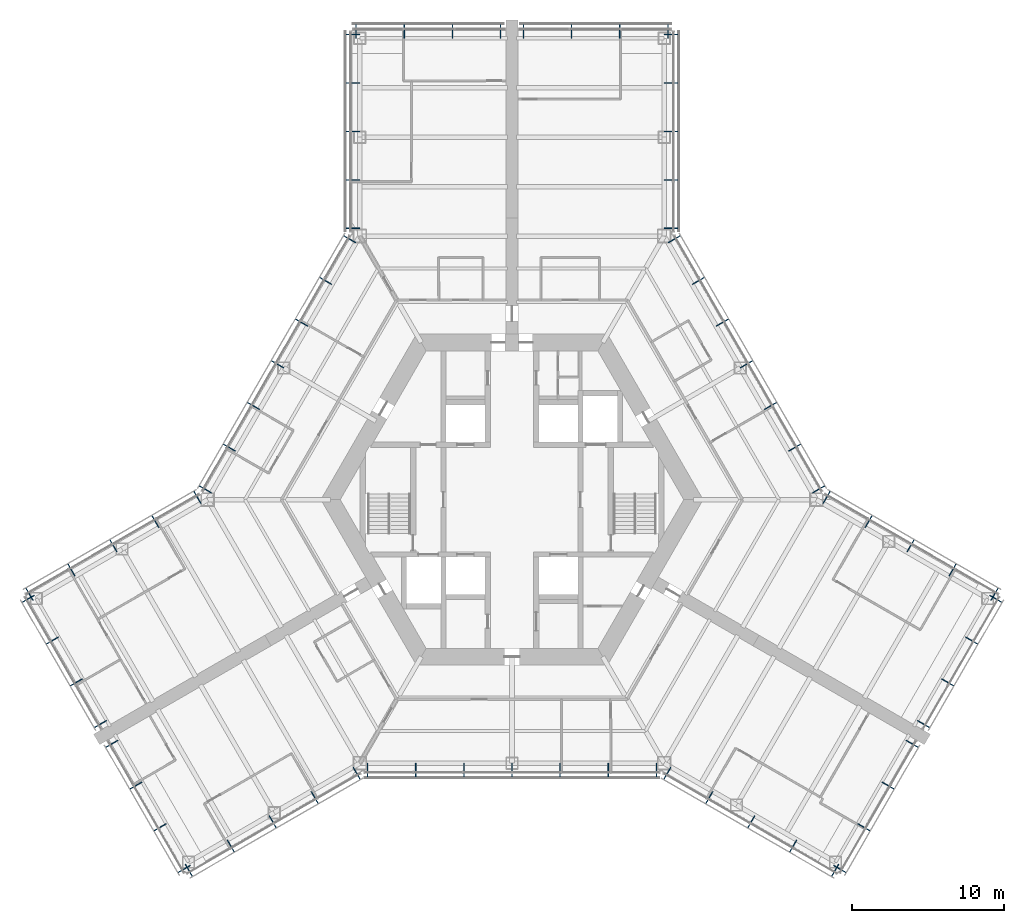
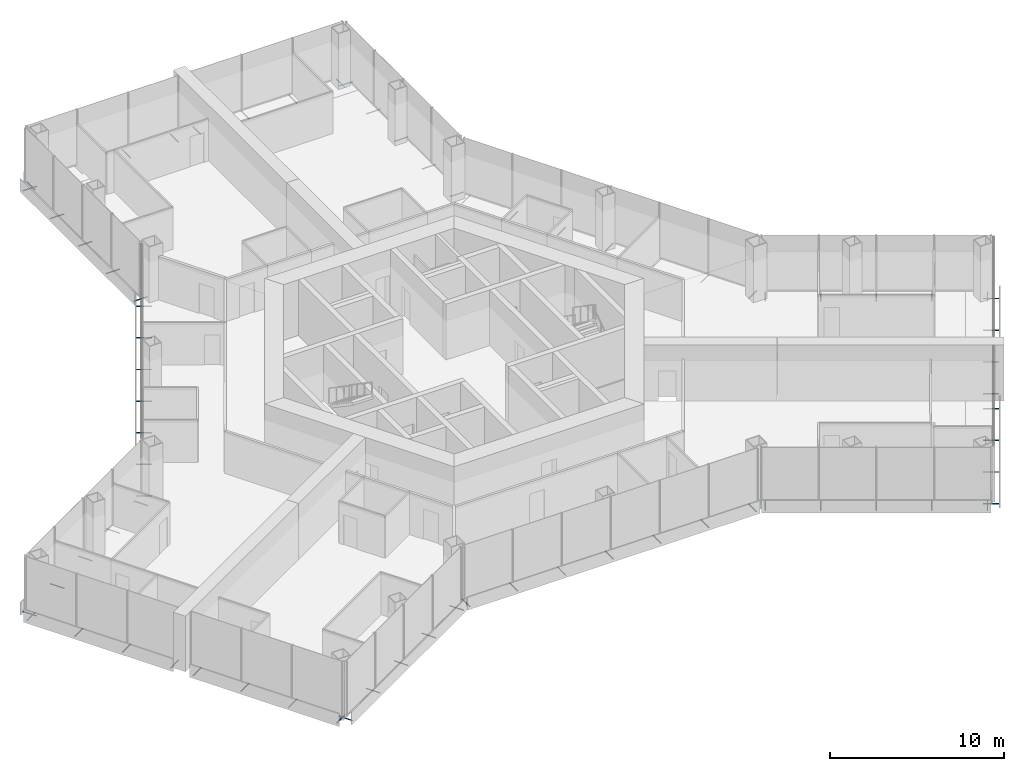
# One storey, part 16 of 18: 75 discrete accessories.
"""IFC4 building model written with IfcOpenShell, lengths in metres."""

from ifc_helpers import new_model, si_unit, direction, frame, origin, origin_2d, place, context, subcontext, project, spatial, hollow_circle, extrude, material, material_profile, profile_set, type_object, element, save


model = new_model("IFC4")

# Units and contexts
model_context = context("Model", 3, precision=1e-05, world=origin(), true_north=direction((0.0, 1.0)))
body_context = subcontext(model_context, "Body", "Model", "MODEL_VIEW")
ifc_project = project(units=[si_unit("LENGTHUNIT", "METRE"), si_unit("AREAUNIT", "SQUARE_METRE"), si_unit("VOLUMEUNIT", "CUBIC_METRE"), si_unit("PLANEANGLEUNIT", "RADIAN"), si_unit("MASSUNIT", "GRAM", prefix="KILO")], contexts=[model_context])

# Site, building, storey
site_placement = place(None, origin())
site = spatial("IfcSite", under=ifc_project, at=site_placement, CompositionType="ELEMENT")
building_placement = place(site_placement, origin())
building = spatial("IfcBuilding", under=site, at=building_placement, Name="Kasaneha Research Tower", CompositionType="ELEMENT")
storey_placement = place(building_placement, frame((0.0, 0.0, 111.89990234375)))
storey = spatial("IfcBuildingStorey", under=building, at=storey_placement, Name="L28", CompositionType="ELEMENT", Elevation=111.89990234375)

# Discrete accessories
ifc_material = material(Name="Steel STK400", Category="steel")
ifc_material_profile = material_profile(ifc_material, hollow_circle(Radius=0.0380859375, WallThickness=0.00390625, at=origin_2d()), Name="CHS-76.3x4.0")
ifc_profile_set = profile_set([ifc_material_profile], Name="Steel STK400")
discrete_accessory_type = type_object("IfcDiscreteAccessoryType", Name="Screen bracket CHS-76.3x4.0", PredefinedType="BRACKET", material=ifc_profile_set)
discrete_accessory_1_placement = place(storey_placement, frame((-21.474853515625, -23.945556640625, -0.2998046875), z_axis=(0.500021113727, -0.866013213425, 0.0), x_axis=(0.866013213425, 0.500021113727, 0.0)))
element("IfcDiscreteAccessory", 1, at=discrete_accessory_1_placement, inside=storey, type_object=discrete_accessory_type, Name="Screen bracket 1", PredefinedType="BRACKET", context=body_context, shape_type="SweptSolid", body=[
    extrude(hollow_circle(Radius=0.0380859375, WallThickness=0.00390625, at=origin_2d()), origin(), (0.0, 0.0, 1.0), 0.919921875),
])
discrete_accessory_2_placement = place(storey_placement, frame((-18.716796875, -22.35302734375, -0.2998046875), z_axis=(0.500105201737, -0.865964657013, 0.0), x_axis=(0.865964657013, 0.500105201737, 0.0)))
element("IfcDiscreteAccessory", 2, at=discrete_accessory_2_placement, inside=storey, type_object=discrete_accessory_type, Name="Screen bracket 2", PredefinedType="BRACKET", context=body_context, shape_type="SweptSolid", body=[
    extrude(hollow_circle(Radius=0.0380859375, WallThickness=0.00390625, at=origin_2d()), origin(), (0.0, 0.0, 1.0), 0.920166015625),
])
discrete_accessory_3_placement = place(storey_placement, frame((-15.95849609375, -20.7607421875, -0.2998046875), z_axis=(0.500021113727, -0.866013213425, 0.0), x_axis=(0.866013213425, 0.500021113727, 0.0)))
element("IfcDiscreteAccessory", 3, at=discrete_accessory_3_placement, inside=storey, type_object=discrete_accessory_type, Name="Screen bracket 3", PredefinedType="BRACKET", context=body_context, shape_type="SweptSolid", body=[
    extrude(hollow_circle(Radius=0.0380859375, WallThickness=0.00390625, at=origin_2d()), origin(), (0.0, 0.0, 1.0), 0.919921875),
])
discrete_accessory_4_placement = place(storey_placement, frame((-13.200439453125, -19.168212890625, -0.2998046875), z_axis=(0.499906209203, -0.866079547155, 0.0), x_axis=(0.866079547155, 0.499906209203, 0.0)))
element("IfcDiscreteAccessory", 4, at=discrete_accessory_4_placement, inside=storey, type_object=discrete_accessory_type, Name="Screen bracket 4", PredefinedType="BRACKET", context=body_context, shape_type="SweptSolid", body=[
    extrude(hollow_circle(Radius=0.0380859375, WallThickness=0.00390625, at=origin_2d()), origin(), (0.0, 0.0, 1.0), 0.920166015625),
])
for number, where, z_axis, x_axis, name in (
    (5, (-10.4423828125, -17.575927734375, -0.2998046875), (0.500021113727, -0.866013213425, 0.0), (0.866013213425, 0.500021113727, 0.0), "Screen bracket 5"),
    (6, (-9.4892578125, -17.320556640625, -0.2998046875), (0.0, -1.0, 0.0), (1.0, 0.0, 0.0), "Screen bracket 1"),
    (7, (-6.326171875, -17.320556640625, -0.2998046875), (0.0, -1.0, 0.0), (1.0, 0.0, 0.0), "Screen bracket 2"),
    (8, (-3.1630859375, -17.320556640625, -0.2998046875), (0.0, -1.0, 0.0), (1.0, 0.0, 0.0), "Screen bracket 3"),
    (9, (0.0, -17.320556640625, -0.2998046875), (0.0, -1.0, 0.0), (1.0, 0.0, 0.0), "Screen bracket 4"),
    (10, (3.1630859375, -17.320556640625, -0.2998046875), (0.0, -1.0, 0.0), (1.0, 0.0, 0.0), "Screen bracket 5"),
    (11, (6.326171875, -17.320556640625, -0.2998046875), (0.0, -1.0, 0.0), (1.0, 0.0, 0.0), "Screen bracket 6"),
    (12, (9.4892578125, -17.320556640625, -0.2998046875), (0.0, -1.0, 0.0), (1.0, 0.0, 0.0), "Screen bracket 7"),
    (13, (10.4423828125, -17.575927734375, -0.2998046875), (-0.500021113727, -0.866013213425, 0.0), (0.866013213425, -0.500021113727, 0.0), "Screen bracket 1"),
):
    element("IfcDiscreteAccessory", number, at=place(storey_placement, frame(where, z_axis=z_axis, x_axis=x_axis)), inside=storey, type_object=discrete_accessory_type, Name=name, PredefinedType="BRACKET", context=body_context, shape_type="SweptSolid", body=[
        extrude(hollow_circle(Radius=0.0380859375, WallThickness=0.00390625, at=origin_2d()), origin(), (0.0, 0.0, 1.0), 0.919921875),
    ])
discrete_accessory_5_placement = place(storey_placement, frame((13.200439453125, -19.168212890625, -0.2998046875), z_axis=(-0.499906209203, -0.866079547155, 0.0), x_axis=(0.866079547155, -0.499906209203, 0.0)))
element("IfcDiscreteAccessory", 14, at=discrete_accessory_5_placement, inside=storey, type_object=discrete_accessory_type, Name="Screen bracket 2", PredefinedType="BRACKET", context=body_context, shape_type="SweptSolid", body=[
    extrude(hollow_circle(Radius=0.0380859375, WallThickness=0.00390625, at=origin_2d()), origin(), (0.0, 0.0, 1.0), 0.920166015625),
])
discrete_accessory_6_placement = place(storey_placement, frame((15.95849609375, -20.7607421875, -0.2998046875), z_axis=(-0.500021113727, -0.866013213425, 0.0), x_axis=(0.866013213425, -0.500021113727, 0.0)))
element("IfcDiscreteAccessory", 15, at=discrete_accessory_6_placement, inside=storey, type_object=discrete_accessory_type, Name="Screen bracket 3", PredefinedType="BRACKET", context=body_context, shape_type="SweptSolid", body=[
    extrude(hollow_circle(Radius=0.0380859375, WallThickness=0.00390625, at=origin_2d()), origin(), (0.0, 0.0, 1.0), 0.919921875),
])
discrete_accessory_7_placement = place(storey_placement, frame((18.716796875, -22.35302734375, -0.2998046875), z_axis=(-0.500105201737, -0.865964657013, 0.0), x_axis=(0.865964657013, -0.500105201737, 0.0)))
element("IfcDiscreteAccessory", 16, at=discrete_accessory_7_placement, inside=storey, type_object=discrete_accessory_type, Name="Screen bracket 4", PredefinedType="BRACKET", context=body_context, shape_type="SweptSolid", body=[
    extrude(hollow_circle(Radius=0.0380859375, WallThickness=0.00390625, at=origin_2d()), origin(), (0.0, 0.0, 1.0), 0.920166015625),
])
discrete_accessory_8_placement = place(storey_placement, frame((21.474853515625, -23.945556640625, -0.2998046875), z_axis=(-0.500021113727, -0.866013213425, 0.0), x_axis=(0.866013213425, -0.500021113727, 0.0)))
element("IfcDiscreteAccessory", 17, at=discrete_accessory_8_placement, inside=storey, type_object=discrete_accessory_type, Name="Screen bracket 5", PredefinedType="BRACKET", context=body_context, shape_type="SweptSolid", body=[
    extrude(hollow_circle(Radius=0.0380859375, WallThickness=0.00390625, at=origin_2d()), origin(), (0.0, 0.0, 1.0), 0.919921875),
])
for number, where, z_axis, x_axis, name in (
    (18, (21.13330078125, -24.037109375, -0.2998046875), (0.866079547155, -0.499906209203, 0.0), (0.499906209203, 0.866079547155, 0.0), "Screen bracket 1"),
    (19, (22.716552734375, -21.294677734375, -0.2998046875), (0.866079547155, -0.499906209203, 0.0), (0.499906209203, 0.866079547155, 0.0), "Screen bracket 2"),
):
    element("IfcDiscreteAccessory", number, at=place(storey_placement, frame(where, z_axis=z_axis, x_axis=x_axis)), inside=storey, type_object=discrete_accessory_type, Name=name, PredefinedType="BRACKET", context=body_context, shape_type="SweptSolid", body=[
        extrude(hollow_circle(Radius=0.0380859375, WallThickness=0.00390625, at=origin_2d()), origin(), (0.0, 0.0, 1.0), 0.920166015625),
    ])
discrete_accessory_9_placement = place(storey_placement, frame((24.300048828125, -18.55224609375, -0.2998046875), z_axis=(0.866013213425, -0.500021113727, 0.0), x_axis=(0.500021113727, 0.866013213425, 0.0)))
element("IfcDiscreteAccessory", 20, at=discrete_accessory_9_placement, inside=storey, type_object=discrete_accessory_type, Name="Screen bracket 3", PredefinedType="BRACKET", context=body_context, shape_type="SweptSolid", body=[
    extrude(hollow_circle(Radius=0.0380859375, WallThickness=0.00390625, at=origin_2d()), origin(), (0.0, 0.0, 1.0), 0.919921875),
])
for number, where, z_axis, x_axis, name in (
    (21, (25.88330078125, -15.809814453125, -0.2998046875), (0.866079547155, -0.499906209203, 0.0), (0.499906209203, 0.866079547155, 0.0), "Screen bracket 4"),
    (22, (26.63330078125, -14.5107421875, -0.2998046875), (0.866079547155, -0.499906209203, 0.0), (0.499906209203, 0.866079547155, 0.0), "Screen bracket 1"),
    (23, (28.216552734375, -11.768310546875, -0.2998046875), (0.866079547155, -0.499906209203, 0.0), (0.499906209203, 0.866079547155, 0.0), "Screen bracket 2"),
):
    element("IfcDiscreteAccessory", number, at=place(storey_placement, frame(where, z_axis=z_axis, x_axis=x_axis)), inside=storey, type_object=discrete_accessory_type, Name=name, PredefinedType="BRACKET", context=body_context, shape_type="SweptSolid", body=[
        extrude(hollow_circle(Radius=0.0380859375, WallThickness=0.00390625, at=origin_2d()), origin(), (0.0, 0.0, 1.0), 0.920166015625),
    ])
discrete_accessory_10_placement = place(storey_placement, frame((29.800048828125, -9.02587890625, -0.2998046875), z_axis=(0.866013213425, -0.500021113727, 0.0), x_axis=(0.500021113727, 0.866013213425, 0.0)))
element("IfcDiscreteAccessory", 24, at=discrete_accessory_10_placement, inside=storey, type_object=discrete_accessory_type, Name="Screen bracket 3", PredefinedType="BRACKET", context=body_context, shape_type="SweptSolid", body=[
    extrude(hollow_circle(Radius=0.0380859375, WallThickness=0.00390625, at=origin_2d()), origin(), (0.0, 0.0, 1.0), 0.919921875),
])
discrete_accessory_11_placement = place(storey_placement, frame((31.38330078125, -6.283447265625, -0.2998046875), z_axis=(0.866079547155, -0.499906209203, 0.0), x_axis=(0.499906209203, 0.866079547155, 0.0)))
element("IfcDiscreteAccessory", 25, at=discrete_accessory_11_placement, inside=storey, type_object=discrete_accessory_type, Name="Screen bracket 4", PredefinedType="BRACKET", context=body_context, shape_type="SweptSolid", body=[
    extrude(hollow_circle(Radius=0.0380859375, WallThickness=0.00390625, at=origin_2d()), origin(), (0.0, 0.0, 1.0), 0.920166015625),
])
discrete_accessory_12_placement = place(storey_placement, frame((31.474853515625, -6.625, -0.2998046875), z_axis=(0.500021113727, 0.866013213425, 0.0), x_axis=(-0.866013213425, 0.500021113727, 0.0)))
element("IfcDiscreteAccessory", 26, at=discrete_accessory_12_placement, inside=storey, type_object=discrete_accessory_type, Name="Screen bracket 1", PredefinedType="BRACKET", context=body_context, shape_type="SweptSolid", body=[
    extrude(hollow_circle(Radius=0.0380859375, WallThickness=0.00390625, at=origin_2d()), origin(), (0.0, 0.0, 1.0), 0.919921875),
])
discrete_accessory_13_placement = place(storey_placement, frame((28.716796875, -5.03271484375, -0.2998046875), z_axis=(0.499906209203, 0.866079547155, 0.0), x_axis=(-0.866079547155, 0.499906209203, 0.0)))
element("IfcDiscreteAccessory", 27, at=discrete_accessory_13_placement, inside=storey, type_object=discrete_accessory_type, Name="Screen bracket 2", PredefinedType="BRACKET", context=body_context, shape_type="SweptSolid", body=[
    extrude(hollow_circle(Radius=0.0380859375, WallThickness=0.00390625, at=origin_2d()), origin(), (0.0, 0.0, 1.0), 0.920166015625),
])
discrete_accessory_14_placement = place(storey_placement, frame((25.95849609375, -3.440185546875, -0.2998046875), z_axis=(0.500220121494, 0.865898279276, 0.0), x_axis=(-0.865898279276, 0.500220121494, 0.0)))
element("IfcDiscreteAccessory", 28, at=discrete_accessory_14_placement, inside=storey, type_object=discrete_accessory_type, Name="Screen bracket 3", PredefinedType="BRACKET", context=body_context, shape_type="SweptSolid", body=[
    extrude(hollow_circle(Radius=0.0380859375, WallThickness=0.00390625, at=origin_2d()), origin(), (0.0, 0.0, 1.0), 0.919921875),
])
discrete_accessory_15_placement = place(storey_placement, frame((23.200439453125, -1.847900390625, -0.2998046875), z_axis=(0.499906209203, 0.866079547155, 0.0), x_axis=(-0.866079547155, 0.499906209203, 0.0)))
element("IfcDiscreteAccessory", 29, at=discrete_accessory_15_placement, inside=storey, type_object=discrete_accessory_type, Name="Screen bracket 4", PredefinedType="BRACKET", context=body_context, shape_type="SweptSolid", body=[
    extrude(hollow_circle(Radius=0.0380859375, WallThickness=0.00390625, at=origin_2d()), origin(), (0.0, 0.0, 1.0), 0.920166015625),
])
for number, where, z_axis, x_axis, name in (
    (30, (20.4423828125, -0.25537109375, -0.2998046875), (0.500021113727, 0.866013213425, 0.0), (-0.866013213425, 0.500021113727, 0.0), "Screen bracket 5"),
    (31, (19.74462890625, 0.4423828125, -0.2998046875), (0.866013213425, 0.500021113727, 0.0), (-0.500021113727, 0.866013213425, 0.0), "Screen bracket 1"),
    (32, (18.1630859375, 3.181640625, -0.2998046875), (0.866013213425, 0.500021113727, 0.0), (-0.500021113727, 0.866013213425, 0.0), "Screen bracket 2"),
    (33, (16.58154296875, 5.9208984375, -0.2998046875), (0.866013213425, 0.500021113727, 0.0), (-0.500021113727, 0.866013213425, 0.0), "Screen bracket 3"),
    (34, (15.0, 8.66015625, -0.2998046875), (0.865898279276, 0.500220121494, 0.0), (-0.500220121494, 0.865898279276, 0.0), "Screen bracket 4"),
    (35, (13.41845703125, 11.399658203125, -0.2998046875), (0.866013213425, 0.500021113727, 0.0), (-0.500021113727, 0.866013213425, 0.0), "Screen bracket 5"),
    (36, (11.8369140625, 14.138916015625, -0.2998046875), (0.866013213425, 0.500021113727, 0.0), (-0.500021113727, 0.866013213425, 0.0), "Screen bracket 6"),
):
    element("IfcDiscreteAccessory", number, at=place(storey_placement, frame(where, z_axis=z_axis, x_axis=x_axis)), inside=storey, type_object=discrete_accessory_type, Name=name, PredefinedType="BRACKET", context=body_context, shape_type="SweptSolid", body=[
        extrude(hollow_circle(Radius=0.0380859375, WallThickness=0.00390625, at=origin_2d()), origin(), (0.0, 0.0, 1.0), 0.919921875),
    ])
discrete_accessory_16_placement = place(storey_placement, frame((10.25537109375, 16.878173828125, -0.2998046875), z_axis=(0.866079547155, 0.499906209203, 0.0), x_axis=(-0.499906209203, 0.866079547155, 0.0)))
element("IfcDiscreteAccessory", 37, at=discrete_accessory_16_placement, inside=storey, type_object=discrete_accessory_type, Name="Screen bracket 7", PredefinedType="BRACKET", context=body_context, shape_type="SweptSolid", body=[
    extrude(hollow_circle(Radius=0.0380859375, WallThickness=0.00390625, at=origin_2d()), origin(), (0.0, 0.0, 1.0), 0.920166015625),
])
for number, where, z_axis, x_axis, name in (
    (38, (10.0, 17.831298828125, -0.2998046875), (1.0, 0.0, 0.0), (0.0, 1.0, 0.0), "Screen bracket 1"),
    (39, (10.0, 21.01611328125, -0.2998046875), (1.0, 0.0, 0.0), (0.0, 1.0, 0.0), "Screen bracket 2"),
    (40, (10.0, 24.200927734375, -0.2998046875), (1.0, 0.0, 0.0), (0.0, 1.0, 0.0), "Screen bracket 3"),
    (41, (10.0, 27.3857421875, -0.2998046875), (1.0, 0.0, 0.0), (0.0, 1.0, 0.0), "Screen bracket 4"),
    (42, (10.0, 30.570556640625, -0.2998046875), (1.0, 0.0, 0.0), (0.0, 1.0, 0.0), "Screen bracket 5"),
    (43, (10.25, 30.320556640625, -0.2998046875), (0.0, 1.0, 0.0), (-1.0, 0.0, 0.0), "Screen bracket 1"),
    (44, (7.083251953125, 30.320556640625, -0.2998046875), (0.0, 1.0, 0.0), (-1.0, 0.0, 0.0), "Screen bracket 2"),
    (45, (3.916748046875, 30.320556640625, -0.2998046875), (0.0, 1.0, 0.0), (-1.0, 0.0, 0.0), "Screen bracket 3"),
    (46, (0.75, 30.320556640625, -0.2998046875), (0.0, 1.0, 0.0), (-1.0, 0.0, 0.0), "Screen bracket 4"),
    (47, (-0.75, 30.320556640625, -0.2998046875), (0.0, 1.0, 0.0), (-1.0, 0.0, 0.0), "Screen bracket 1"),
    (48, (-3.916748046875, 30.320556640625, -0.2998046875), (0.0, 1.0, 0.0), (-1.0, 0.0, 0.0), "Screen bracket 2"),
    (49, (-7.083251953125, 30.320556640625, -0.2998046875), (0.0, 1.0, 0.0), (-1.0, 0.0, 0.0), "Screen bracket 3"),
    (50, (-10.25, 30.320556640625, -0.2998046875), (0.0, 1.0, 0.0), (-1.0, 0.0, 0.0), "Screen bracket 4"),
    (51, (-10.0, 30.570556640625, -0.2998046875), (-1.0, 0.0, 0.0), (0.0, -1.0, 0.0), "Screen bracket 1"),
    (52, (-10.0, 27.3857421875, -0.2998046875), (-1.0, 0.0, 0.0), (0.0, -1.0, 0.0), "Screen bracket 2"),
    (53, (-10.0, 24.200927734375, -0.2998046875), (-1.0, 0.0, 0.0), (0.0, -1.0, 0.0), "Screen bracket 3"),
    (54, (-10.0, 21.01611328125, -0.2998046875), (-1.0, 0.0, 0.0), (0.0, -1.0, 0.0), "Screen bracket 4"),
    (55, (-10.0, 17.831298828125, -0.2998046875), (-1.0, 0.0, 0.0), (0.0, -1.0, 0.0), "Screen bracket 5"),
):
    element("IfcDiscreteAccessory", number, at=place(storey_placement, frame(where, z_axis=z_axis, x_axis=x_axis)), inside=storey, type_object=discrete_accessory_type, Name=name, PredefinedType="BRACKET", context=body_context, shape_type="SweptSolid", body=[
        extrude(hollow_circle(Radius=0.0380859375, WallThickness=0.00390625, at=origin_2d()), origin(), (0.0, 0.0, 1.0), 0.919921875),
    ])
discrete_accessory_17_placement = place(storey_placement, frame((-10.25537109375, 16.878173828125, -0.2998046875), z_axis=(-0.866079547155, 0.499906209203, 0.0), x_axis=(-0.499906209203, -0.866079547155, 0.0)))
element("IfcDiscreteAccessory", 56, at=discrete_accessory_17_placement, inside=storey, type_object=discrete_accessory_type, Name="Screen bracket 1", PredefinedType="BRACKET", context=body_context, shape_type="SweptSolid", body=[
    extrude(hollow_circle(Radius=0.0380859375, WallThickness=0.00390625, at=origin_2d()), origin(), (0.0, 0.0, 1.0), 0.920166015625),
])
for number, where, z_axis, x_axis, name in (
    (57, (-11.8369140625, 14.138916015625, -0.2998046875), (-0.866013213425, 0.500021113727, 0.0), (-0.500021113727, -0.866013213425, 0.0), "Screen bracket 2"),
    (58, (-13.41845703125, 11.399658203125, -0.2998046875), (-0.866013213425, 0.500021113727, 0.0), (-0.500021113727, -0.866013213425, 0.0), "Screen bracket 3"),
    (59, (-15.0, 8.66015625, -0.2998046875), (-0.865898279276, 0.500220121494, 0.0), (-0.500220121494, -0.865898279276, 0.0), "Screen bracket 4"),
    (60, (-16.58154296875, 5.9208984375, -0.2998046875), (-0.866013213425, 0.500021113727, 0.0), (-0.500021113727, -0.866013213425, 0.0), "Screen bracket 5"),
    (61, (-18.1630859375, 3.181640625, -0.2998046875), (-0.866013213425, 0.500021113727, 0.0), (-0.500021113727, -0.866013213425, 0.0), "Screen bracket 6"),
    (62, (-19.74462890625, 0.4423828125, -0.2998046875), (-0.866013213425, 0.500021113727, 0.0), (-0.500021113727, -0.866013213425, 0.0), "Screen bracket 7"),
    (63, (-20.4423828125, -0.25537109375, -0.2998046875), (-0.500021113727, 0.866013213425, 0.0), (-0.866013213425, -0.500021113727, 0.0), "Screen bracket 1"),
):
    element("IfcDiscreteAccessory", number, at=place(storey_placement, frame(where, z_axis=z_axis, x_axis=x_axis)), inside=storey, type_object=discrete_accessory_type, Name=name, PredefinedType="BRACKET", context=body_context, shape_type="SweptSolid", body=[
        extrude(hollow_circle(Radius=0.0380859375, WallThickness=0.00390625, at=origin_2d()), origin(), (0.0, 0.0, 1.0), 0.919921875),
    ])
discrete_accessory_18_placement = place(storey_placement, frame((-23.200439453125, -1.847900390625, -0.2998046875), z_axis=(-0.499906209203, 0.866079547155, 0.0), x_axis=(-0.866079547155, -0.499906209203, 0.0)))
element("IfcDiscreteAccessory", 64, at=discrete_accessory_18_placement, inside=storey, type_object=discrete_accessory_type, Name="Screen bracket 2", PredefinedType="BRACKET", context=body_context, shape_type="SweptSolid", body=[
    extrude(hollow_circle(Radius=0.0380859375, WallThickness=0.00390625, at=origin_2d()), origin(), (0.0, 0.0, 1.0), 0.920166015625),
])
discrete_accessory_19_placement = place(storey_placement, frame((-25.95849609375, -3.440185546875, -0.2998046875), z_axis=(-0.500220121494, 0.865898279276, 0.0), x_axis=(-0.865898279276, -0.500220121494, 0.0)))
element("IfcDiscreteAccessory", 65, at=discrete_accessory_19_placement, inside=storey, type_object=discrete_accessory_type, Name="Screen bracket 3", PredefinedType="BRACKET", context=body_context, shape_type="SweptSolid", body=[
    extrude(hollow_circle(Radius=0.0380859375, WallThickness=0.00390625, at=origin_2d()), origin(), (0.0, 0.0, 1.0), 0.919921875),
])
discrete_accessory_20_placement = place(storey_placement, frame((-28.716796875, -5.03271484375, -0.2998046875), z_axis=(-0.499906209203, 0.866079547155, 0.0), x_axis=(-0.866079547155, -0.499906209203, 0.0)))
element("IfcDiscreteAccessory", 66, at=discrete_accessory_20_placement, inside=storey, type_object=discrete_accessory_type, Name="Screen bracket 4", PredefinedType="BRACKET", context=body_context, shape_type="SweptSolid", body=[
    extrude(hollow_circle(Radius=0.0380859375, WallThickness=0.00390625, at=origin_2d()), origin(), (0.0, 0.0, 1.0), 0.920166015625),
])
discrete_accessory_21_placement = place(storey_placement, frame((-31.474853515625, -6.625, -0.2998046875), z_axis=(-0.500021113727, 0.866013213425, 0.0), x_axis=(-0.866013213425, -0.500021113727, 0.0)))
element("IfcDiscreteAccessory", 67, at=discrete_accessory_21_placement, inside=storey, type_object=discrete_accessory_type, Name="Screen bracket 5", PredefinedType="BRACKET", context=body_context, shape_type="SweptSolid", body=[
    extrude(hollow_circle(Radius=0.0380859375, WallThickness=0.00390625, at=origin_2d()), origin(), (0.0, 0.0, 1.0), 0.919921875),
])
discrete_accessory_22_placement = place(storey_placement, frame((-31.38330078125, -6.283447265625, -0.2998046875), z_axis=(-0.866079547155, -0.499906209203, 0.0), x_axis=(0.499906209203, -0.866079547155, 0.0)))
element("IfcDiscreteAccessory", 68, at=discrete_accessory_22_placement, inside=storey, type_object=discrete_accessory_type, Name="Screen bracket 1", PredefinedType="BRACKET", context=body_context, shape_type="SweptSolid", body=[
    extrude(hollow_circle(Radius=0.0380859375, WallThickness=0.00390625, at=origin_2d()), origin(), (0.0, 0.0, 1.0), 0.920166015625),
])
discrete_accessory_23_placement = place(storey_placement, frame((-29.800048828125, -9.02587890625, -0.2998046875), z_axis=(-0.866013213425, -0.500021113727, 0.0), x_axis=(0.500021113727, -0.866013213425, 0.0)))
element("IfcDiscreteAccessory", 69, at=discrete_accessory_23_placement, inside=storey, type_object=discrete_accessory_type, Name="Screen bracket 2", PredefinedType="BRACKET", context=body_context, shape_type="SweptSolid", body=[
    extrude(hollow_circle(Radius=0.0380859375, WallThickness=0.00390625, at=origin_2d()), origin(), (0.0, 0.0, 1.0), 0.919921875),
])
for number, where, z_axis, x_axis, name in (
    (70, (-28.216552734375, -11.768310546875, -0.2998046875), (-0.866079547155, -0.499906209203, 0.0), (0.499906209203, -0.866079547155, 0.0), "Screen bracket 3"),
    (71, (-26.63330078125, -14.5107421875, -0.2998046875), (-0.866079547155, -0.499906209203, 0.0), (0.499906209203, -0.866079547155, 0.0), "Screen bracket 4"),
    (72, (-25.88330078125, -15.809814453125, -0.2998046875), (-0.866079547155, -0.499906209203, 0.0), (0.499906209203, -0.866079547155, 0.0), "Screen bracket 1"),
):
    element("IfcDiscreteAccessory", number, at=place(storey_placement, frame(where, z_axis=z_axis, x_axis=x_axis)), inside=storey, type_object=discrete_accessory_type, Name=name, PredefinedType="BRACKET", context=body_context, shape_type="SweptSolid", body=[
        extrude(hollow_circle(Radius=0.0380859375, WallThickness=0.00390625, at=origin_2d()), origin(), (0.0, 0.0, 1.0), 0.920166015625),
    ])
discrete_accessory_24_placement = place(storey_placement, frame((-24.300048828125, -18.55224609375, -0.2998046875), z_axis=(-0.866013213425, -0.500021113727, 0.0), x_axis=(0.500021113727, -0.866013213425, 0.0)))
element("IfcDiscreteAccessory", 73, at=discrete_accessory_24_placement, inside=storey, type_object=discrete_accessory_type, Name="Screen bracket 2", PredefinedType="BRACKET", context=body_context, shape_type="SweptSolid", body=[
    extrude(hollow_circle(Radius=0.0380859375, WallThickness=0.00390625, at=origin_2d()), origin(), (0.0, 0.0, 1.0), 0.919921875),
])
for number, where, z_axis, x_axis, name in (
    (74, (-22.716552734375, -21.294677734375, -0.2998046875), (-0.866079547155, -0.499906209203, 0.0), (0.499906209203, -0.866079547155, 0.0), "Screen bracket 3"),
    (75, (-21.13330078125, -24.037109375, -0.2998046875), (-0.866079547155, -0.499906209203, 0.0), (0.499906209203, -0.866079547155, 0.0), "Screen bracket 4"),
):
    element("IfcDiscreteAccessory", number, at=place(storey_placement, frame(where, z_axis=z_axis, x_axis=x_axis)), inside=storey, type_object=discrete_accessory_type, Name=name, PredefinedType="BRACKET", context=body_context, shape_type="SweptSolid", body=[
        extrude(hollow_circle(Radius=0.0380859375, WallThickness=0.00390625, at=origin_2d()), origin(), (0.0, 0.0, 1.0), 0.920166015625),
    ])

save(model, "model.ifc")
